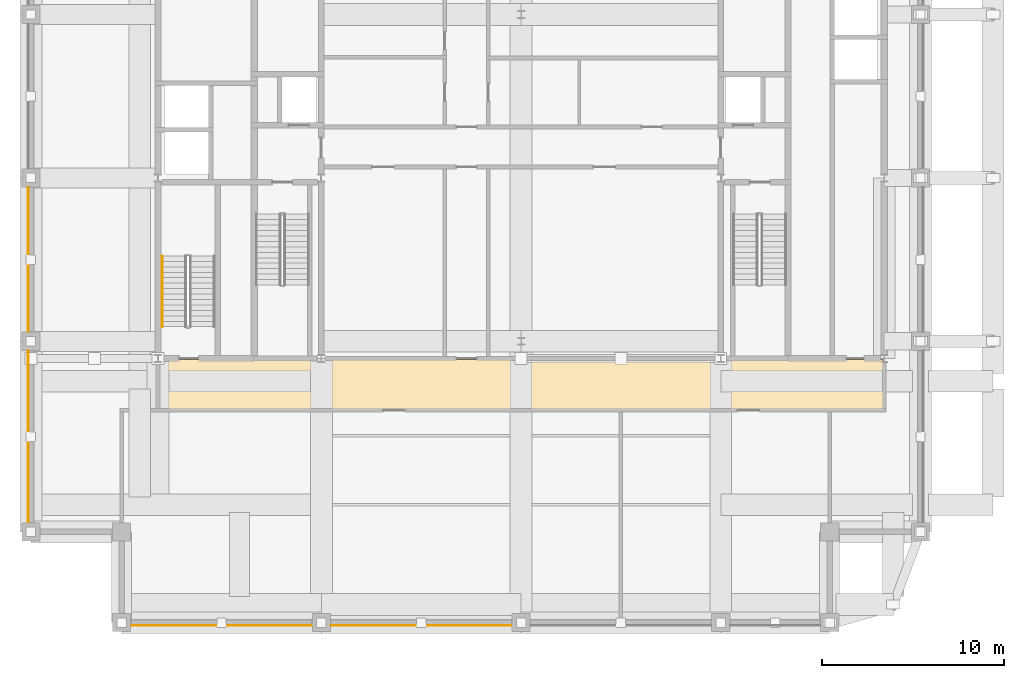
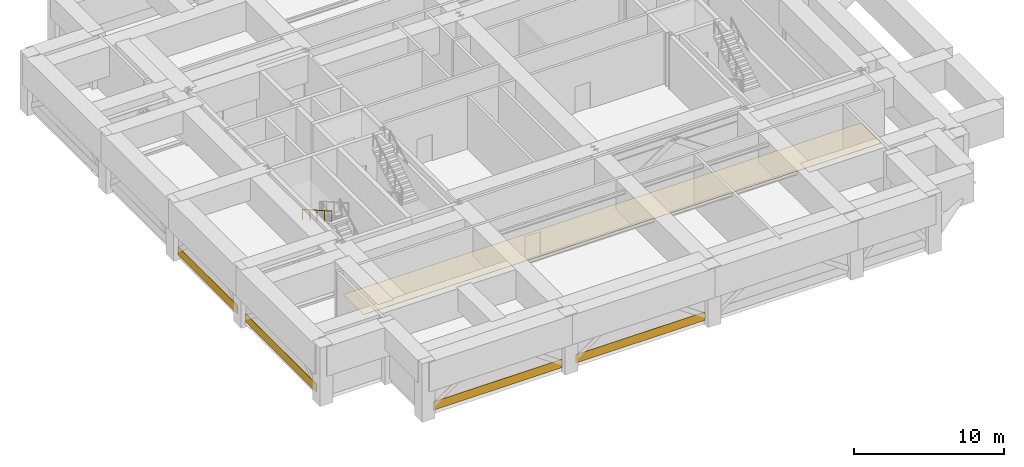
# One storey, part 6 of 9: 5 coverings, 1 railing.
"""IFC4 building model written with IfcOpenShell, lengths in metres."""

from ifc_helpers import new_model, si_unit, direction, frame, frame_2d, origin, origin_2d, place, context, subcontext, project, spatial, polyline, rectangle, outline, extrude, material, layer, layer_set, type_object, element, save


model = new_model("IFC4")

# Units and contexts
model_context = context("Model", 3, precision=1e-05, world=origin(), true_north=direction((0.0, 1.0)))
body_context = subcontext(model_context, "Body", "Model", "MODEL_VIEW")
ifc_project = project(units=[si_unit("LENGTHUNIT", "METRE"), si_unit("AREAUNIT", "SQUARE_METRE"), si_unit("VOLUMEUNIT", "CUBIC_METRE"), si_unit("PLANEANGLEUNIT", "RADIAN"), si_unit("MASSUNIT", "GRAM", prefix="KILO")], contexts=[model_context])

# Site, building, storey
site_placement = place(None, origin())
site = spatial("IfcSite", under=ifc_project, at=site_placement, CompositionType="ELEMENT")
building_placement = place(site_placement, origin())
building = spatial("IfcBuilding", under=site, at=building_placement, Name="Zulmaris Gate Convention Tower", CompositionType="ELEMENT")
storey_placement = place(building_placement, frame((0.0, 0.0, 222.06005859375)))
storey = spatial("IfcBuildingStorey", under=building, at=storey_placement, Name="L58", CompositionType="ELEMENT", Elevation=222.06005859375)

# Coverings
ifc_material_1 = material(Name="Precast concrete C40/50", Category="concrete")
ifc_layer_1 = layer(ifc_material_1, 0.0400390625, Name="Precast concrete C40/50")
ifc_layer_set_1 = layer_set([ifc_layer_1], Name="Precast concrete C40/50")
covering_type_1 = type_object("IfcCoveringType", Name="CLAD-SPANDREL-PRECAST", PredefinedType="CLADDING", material=ifc_layer_set_1)
for number, where, z_axis, x_axis, name in (
    (1, (-21.469970703125, -24.64990234375, 0.0), (0.0, 0.0, 1.0), (1.0, 0.0, 0.0), "CLD-L58-S-0_0"),
    (2, (-10.469970703125, -24.64990234375, 0.0), (0.0, 0.0, 1.0), (1.0, 0.0, 0.0), "CLD-L58-S-1_0"),
):
    element("IfcCovering", number, at=place(storey_placement, frame(where, z_axis=z_axis, x_axis=x_axis)), inside=storey, type_object=covering_type_1, Name=name, PredefinedType="CLADDING", context=body_context, shape_type="SweptSolid", body=[
        extrude(rectangle(XDim=9.93994140625, YDim=0.0400390625, at=frame_2d((4.969970703125, 0.0))), origin(), (0.0, 0.0, 1.0), 0.679931640625),
    ])
covering_1_placement = place(storey_placement, frame((-27.14990234375, -9.530029296875, 0.0), z_axis=(0.0, 0.0, 1.0), x_axis=(0.0, -1.0, 0.0)))
element("IfcCovering", 3, at=covering_1_placement, inside=storey, type_object=covering_type_1, Name="CLD-L58-W-0_0", PredefinedType="CLADDING", context=body_context, shape_type="SweptSolid", body=[
    extrude(rectangle(XDim=9.43994140625, YDim=0.0400390625, at=frame_2d((4.719970703125, 0.0))), origin(), (0.0, 0.0, 1.0), 0.679931640625),
])
covering_2_placement = place(storey_placement, frame((-27.14990234375, -0.530029296875, 0.0), z_axis=(0.0, 0.0, 1.0), x_axis=(0.0, -1.0, 0.0)))
element("IfcCovering", 4, at=covering_2_placement, inside=storey, type_object=covering_type_1, Name="CLD-L58-W-1_0", PredefinedType="CLADDING", context=body_context, shape_type="SweptSolid", body=[
    extrude(rectangle(XDim=7.93994140625, YDim=0.0400390625, at=frame_2d((3.969970703125, 0.0))), origin(), (0.0, 0.0, 1.0), 0.679931640625),
])
ifc_material_2 = material(Name="Woven Acoustic Wool Carpet Tile")
ifc_layer_2 = layer(ifc_material_2, 0.02001953125, Name="Woven Acoustic Wool Carpet Tile")
ifc_layer_set_2 = layer_set([ifc_layer_2], Name="Woven Acoustic Wool Carpet Tile")
covering_type_2 = type_object("IfcCoveringType", Name="FLR-CARPET-12", PredefinedType="FLOORING", material=ifc_layer_set_2)
covering_3_placement = place(storey_placement, origin())
element("IfcCovering", 5, at=covering_3_placement, inside=storey, type_object=covering_type_2, Name="FLR-L58-R27", PredefinedType="FLOORING", context=body_context, shape_type="SweptSolid", body=[
    extrude(outline(polyline([(-19.93994140625, -12.739990234375), (19.93994140625, -12.739990234375), (19.93994140625, -10.010009765625), (-19.93994140625, -10.010009765625), (-19.93994140625, -12.739990234375)])), origin(), (0.0, 0.0, 1.0), 0.02001953125),
])

# Railing
ifc_material_3 = material(Name="Brushed Stainless Steel", Category="steel")
railing_type = type_object("IfcRailingType", Name="RL-STH-900", PredefinedType="HANDRAIL", material=ifc_material_3)
railing_placement = place(storey_placement, frame((-19.77001953125, -4.300048828125, 2.550048828125)))
element("IfcRailing", 6, at=railing_placement, inside=storey, type_object=railing_type, Name="L58 ST-3 stair handrail 2", PredefinedType="HANDRAIL", context=body_context, shape_type="SweptSolid", body=[
    extrude(rectangle(XDim=0.048095703125, YDim=0.048095703125, at=origin_2d()), frame((0.0, 0.0, 0.8759765625), z_axis=(0.0, -0.870020628399, 0.493015320412), x_axis=(1.0, 0.0, 0.0)), (0.0, 0.0, 1.0), 4.482421875),
    extrude(rectangle(XDim=0.0419921875, YDim=0.0419921875, at=origin_2d()), origin(), (0.0, 0.0, 1.0), 0.851806640625),
    extrude(rectangle(XDim=0.0419921875, YDim=0.0419921875, at=origin_2d()), frame((0.0, -0.97509765625, 0.552490234375)), (0.0, 0.0, 1.0), 0.851806640625),
    extrude(rectangle(XDim=0.0419921875, YDim=0.0419921875, at=origin_2d()), frame((0.0, -1.949951171875, 1.10498046875)), (0.0, 0.0, 1.0), 0.851806640625),
    extrude(rectangle(XDim=0.0419921875, YDim=0.0419921875, at=origin_2d()), frame((0.0, -2.9248046875, 1.657470703125)), (0.0, 0.0, 1.0), 0.851806640625),
    extrude(rectangle(XDim=0.0419921875, YDim=0.0419921875, at=origin_2d()), frame((0.0, -3.89990234375, 2.2099609375)), (0.0, 0.0, 1.0), 0.851806640625),
])

save(model, "model.ifc")
